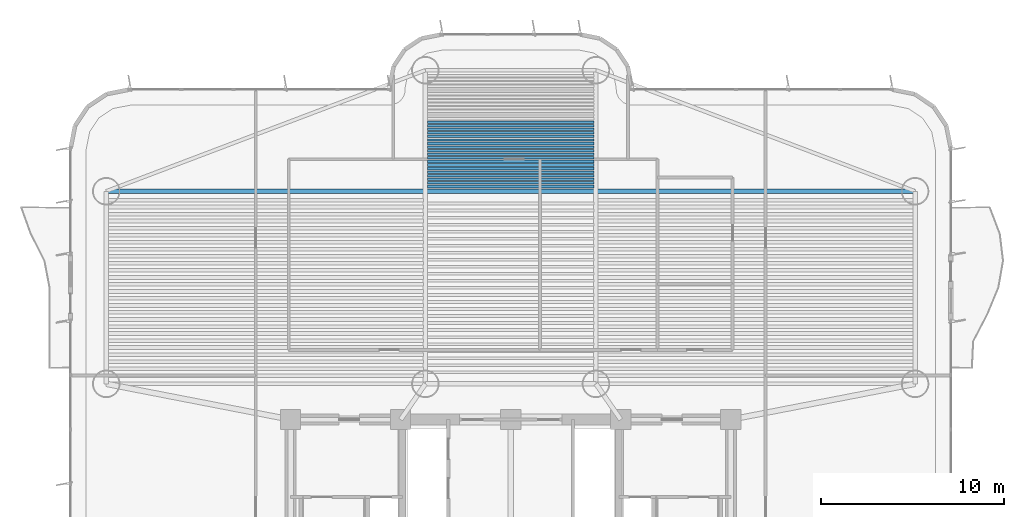
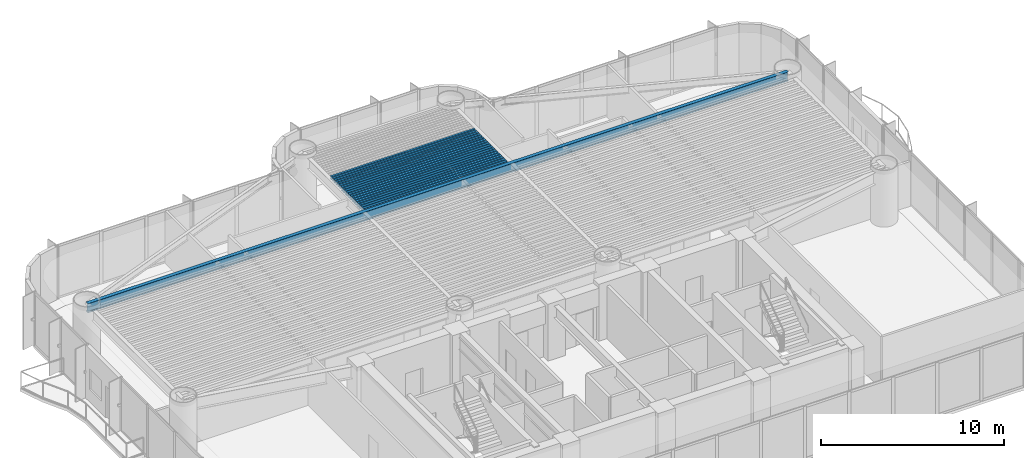
# One storey, part 4 of 16: 20 beams.
"""IFC4 building model written with IfcOpenShell, lengths in metres."""

from ifc_helpers import new_model, si_unit, direction, frame, origin, origin_2d, place, context, subcontext, project, spatial, i_section, extrude, source, transform, mapped, material, material_profile, profile_set, type_object, element, save


model = new_model("IFC4")

# Units and contexts
model_context = context("Model", 3, precision=1e-05, world=origin(), true_north=direction((0.0, 1.0)))
body_context = subcontext(model_context, "Body", "Model", "MODEL_VIEW")
ifc_project = project(units=[si_unit("LENGTHUNIT", "METRE"), si_unit("AREAUNIT", "SQUARE_METRE"), si_unit("VOLUMEUNIT", "CUBIC_METRE"), si_unit("PLANEANGLEUNIT", "RADIAN"), si_unit("MASSUNIT", "GRAM", prefix="KILO")], contexts=[model_context])

# Site, building, storey
site_placement = place(None, origin())
site = spatial("IfcSite", under=ifc_project, at=site_placement, CompositionType="ELEMENT")
building_placement = place(site_placement, origin())
building = spatial("IfcBuilding", under=site, at=building_placement, Name="Brelvock Crest Care Tower", CompositionType="ELEMENT")
storey_placement = place(building_placement, frame((0.0, 0.0, 61.02001953125)))
storey = spatial("IfcBuildingStorey", under=building, at=storey_placement, Name="L15", CompositionType="ELEMENT", Elevation=61.02001953125)

# Beams
ifc_material = material(Name="Steel Grade 350", Category="steel")
ifc_material_profile_1 = material_profile(ifc_material, i_section(OverallWidth=0.22900390625, OverallDepth=0.612060546875, WebThickness=0.011962890625, FlangeThickness=0.01953125, FilletRadius=0.013916015625, at=origin_2d()), Name="610UB125")
ifc_profile_set_1 = profile_set([ifc_material_profile_1], Name="Steel Grade 350")
beam_type_1 = type_object("IfcBeamType", Name="BM-G1", PredefinedType="BEAM", material=ifc_profile_set_1)
shared_shape_1 = source(origin(), body_context, "Body", "SweptSolid", [
    extrude(i_section(OverallWidth=0.22900390625, OverallDepth=0.612060546875, WebThickness=0.011962890625, FlangeThickness=0.01953125, FilletRadius=0.013916015625, at=origin_2d()), origin(), (0.0, 0.0, 1.0), 44.10009765625),
])
beam_placement = place(storey_placement, frame((13.949951171875, 30.449951171875, 3.223876953125), z_axis=(1.0, 0.0, 0.0), x_axis=(0.0, 1.0, 0.0)))
element("IfcBeam", 1, at=beam_placement, inside=storey, type_object=beam_type_1, Name="BM-TWR-L15-11", PredefinedType="BEAM", context=body_context, shape_type="MappedRepresentation", body=[
    mapped(shared_shape_1, transform((0.0, 0.0, 0.0), x_axis=(1.0, 0.0, 0.0), y_axis=(0.0, 1.0, 0.0), z_axis=(0.0, 0.0, 1.0), scale=1.0)),
])
ifc_material_profile_2 = material_profile(ifc_material, i_section(OverallWidth=0.14599609375, OverallDepth=0.256103515625, WebThickness=0.00634765625, FlangeThickness=0.010986328125, FilletRadius=0.0087890625, at=origin_2d()), Name="250UB37.3")
ifc_profile_set_2 = profile_set([ifc_material_profile_2], Name="Steel Grade 350")
beam_type_2 = type_object("IfcBeamType", Name="BM-J3", PredefinedType="JOIST", material=ifc_profile_set_2)
shared_shape_2 = source(origin(), body_context, "Body", "SweptSolid", [
    extrude(i_section(OverallWidth=0.14599609375, OverallDepth=0.256103515625, WebThickness=0.00634765625, FlangeThickness=0.010986328125, FilletRadius=0.0087890625, at=origin_2d()), origin(), (0.0, 0.0, 1.0), 9.06982421875),
])
for number, where, z_axis, x_axis, name in (
    (2, (31.465087890625, 30.714111328125, 3.402099609375), (1.0, 0.0, 0.0), (0.0, 1.0, 0.0), "BM-JN-L15-1"),
    (3, (31.465087890625, 30.90869140625, 3.402099609375), (1.0, 0.0, 0.0), (0.0, 1.0, 0.0), "BM-JN-L15-2"),
    (4, (31.465087890625, 31.103515625, 3.402099609375), (1.0, 0.0, 0.0), (0.0, 1.0, 0.0), "BM-JN-L15-3"),
    (5, (31.465087890625, 31.298095703125, 3.402099609375), (1.0, 0.0, 0.0), (0.0, 1.0, 0.0), "BM-JN-L15-4"),
    (6, (31.465087890625, 31.492919921875, 3.402099609375), (1.0, 0.0, 0.0), (0.0, 1.0, 0.0), "BM-JN-L15-5"),
    (7, (31.465087890625, 31.6875, 3.402099609375), (1.0, 0.0, 0.0), (0.0, 1.0, 0.0), "BM-JN-L15-6"),
    (8, (31.465087890625, 31.882080078125, 3.402099609375), (1.0, 0.0, 0.0), (0.0, 1.0, 0.0), "BM-JN-L15-7"),
    (9, (31.465087890625, 32.076904296875, 3.402099609375), (1.0, 0.0, 0.0), (0.0, 1.0, 0.0), "BM-JN-L15-8"),
    (10, (31.465087890625, 32.271484375, 3.402099609375), (1.0, 0.0, 0.0), (0.0, 1.0, 0.0), "BM-JN-L15-9"),
    (11, (31.465087890625, 32.46630859375, 3.402099609375), (1.0, 0.0, 0.0), (0.0, 1.0, 0.0), "BM-JN-L15-10"),
    (12, (31.465087890625, 32.660888671875, 3.402099609375), (1.0, 0.0, 0.0), (0.0, 1.0, 0.0), "BM-JN-L15-11"),
    (13, (31.465087890625, 32.855712890625, 3.402099609375), (1.0, 0.0, 0.0), (0.0, 1.0, 0.0), "BM-JN-L15-12"),
    (14, (31.465087890625, 33.05029296875, 3.402099609375), (1.0, 0.0, 0.0), (0.0, 1.0, 0.0), "BM-JN-L15-13"),
):
    element("IfcBeam", number, at=place(storey_placement, frame(where, z_axis=z_axis, x_axis=x_axis)), inside=storey, type_object=beam_type_2, Name=name, PredefinedType="JOIST", context=body_context, shape_type="MappedRepresentation", body=[
        mapped(shared_shape_2, transform((0.0, 0.0, 0.0), x_axis=(1.0, 0.0, 0.0), y_axis=(0.0, 1.0, 0.0), z_axis=(0.0, 0.0, 1.0), scale=1.0)),
    ])
ifc_material_profile_3 = material_profile(ifc_material, i_section(OverallWidth=0.134033203125, OverallDepth=0.20703125, WebThickness=0.00634765625, FlangeThickness=0.009521484375, FilletRadius=0.0087890625, at=origin_2d()), Name="200UB29.8")
ifc_profile_set_3 = profile_set([ifc_material_profile_3], Name="Steel Grade 350")
beam_type_3 = type_object("IfcBeamType", Name="BM-J4", PredefinedType="JOIST", material=ifc_profile_set_3)
shared_shape_3 = source(origin(), body_context, "Body", "SweptSolid", [
    extrude(i_section(OverallWidth=0.134033203125, OverallDepth=0.20703125, WebThickness=0.00634765625, FlangeThickness=0.009521484375, FilletRadius=0.0087890625, at=origin_2d()), origin(), (0.0, 0.0, 1.0), 9.06982421875),
])
for number, where, z_axis, x_axis, name in (
    (15, (31.465087890625, 33.2451171875, 3.426513671875), (1.0, 0.0, 0.0), (0.0, 1.0, 0.0), "BM-JN-L15-14"),
    (16, (31.465087890625, 33.439697265625, 3.426513671875), (1.0, 0.0, 0.0), (0.0, 1.0, 0.0), "BM-JN-L15-15"),
    (17, (31.465087890625, 33.634521484375, 3.426513671875), (1.0, 0.0, 0.0), (0.0, 1.0, 0.0), "BM-JN-L15-16"),
    (18, (31.465087890625, 33.8291015625, 3.426513671875), (1.0, 0.0, 0.0), (0.0, 1.0, 0.0), "BM-JN-L15-17"),
    (19, (31.465087890625, 34.02392578125, 3.426513671875), (1.0, 0.0, 0.0), (0.0, 1.0, 0.0), "BM-JN-L15-18"),
    (20, (31.465087890625, 34.218505859375, 3.426513671875), (1.0, 0.0, 0.0), (0.0, 1.0, 0.0), "BM-JN-L15-19"),
):
    element("IfcBeam", number, at=place(storey_placement, frame(where, z_axis=z_axis, x_axis=x_axis)), inside=storey, type_object=beam_type_3, Name=name, PredefinedType="JOIST", context=body_context, shape_type="MappedRepresentation", body=[
        mapped(shared_shape_3, transform((0.0, 0.0, 0.0), x_axis=(1.0, 0.0, 0.0), y_axis=(0.0, 1.0, 0.0), z_axis=(0.0, 0.0, 1.0), scale=1.0)),
    ])

save(model, "model.ifc")
